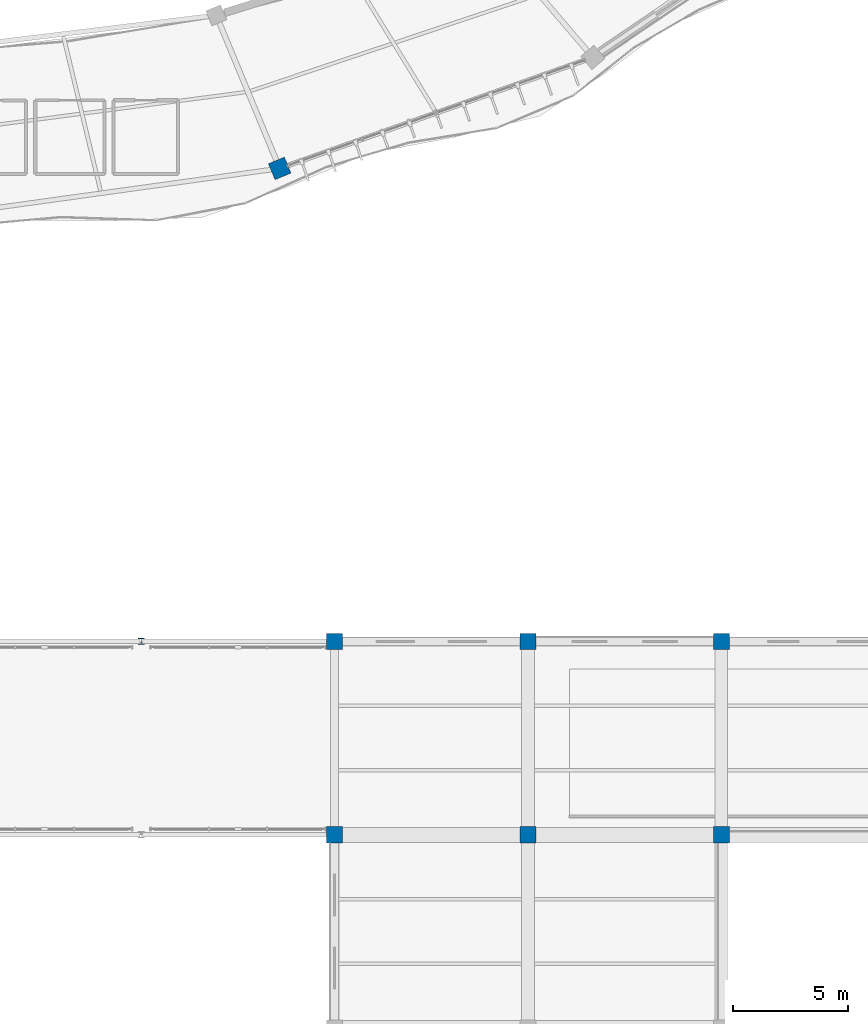
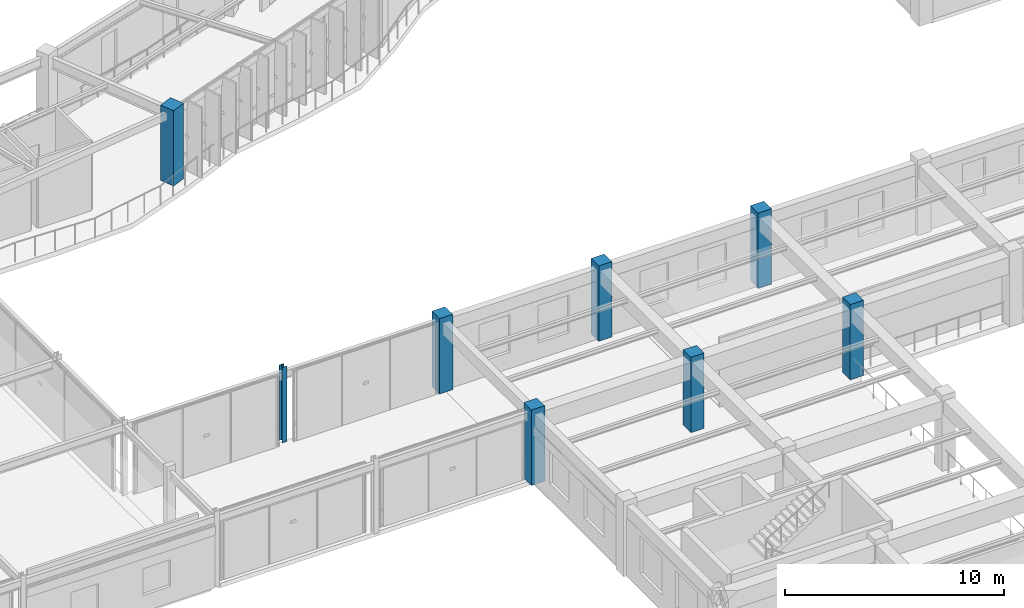
# One storey, part 5 of 152: 8 columns.
"""IFC4 building model written with IfcOpenShell, lengths in metres."""

from ifc_helpers import new_model, si_unit, direction, frame, origin, origin_2d, place, context, subcontext, project, spatial, rectangle, i_section, extrude, material, material_profile, profile_set, type_object, element, save


model = new_model("IFC4")

# Units and contexts
model_context = context("Model", 3, precision=1e-05, world=origin(), true_north=direction((0.0, 1.0)))
body_context = subcontext(model_context, "Body", "Model", "MODEL_VIEW")
ifc_project = project(units=[si_unit("LENGTHUNIT", "METRE"), si_unit("AREAUNIT", "SQUARE_METRE"), si_unit("VOLUMEUNIT", "CUBIC_METRE"), si_unit("PLANEANGLEUNIT", "RADIAN"), si_unit("MASSUNIT", "GRAM", prefix="KILO"), si_unit("THERMODYNAMICTEMPERATUREUNIT", "KELVIN"), si_unit("POWERUNIT", "WATT")], contexts=[model_context])

# Site, building, storey
site_placement = place(None, origin())
site = spatial("IfcSite", under=ifc_project, at=site_placement, CompositionType="ELEMENT")
building_placement = place(site_placement, origin())
building = spatial("IfcBuilding", under=site, at=building_placement, Name="Darbajah Civic Hall", CompositionType="ELEMENT")
storey_placement = place(building_placement, frame((0.0, 0.0, 5.39990234375)))
storey = spatial("IfcBuildingStorey", under=building, at=storey_placement, Name="L01", CompositionType="ELEMENT", Elevation=5.39990234375)

# Columns
ifc_material_1 = material(Name="Concrete C45/55", Category="concrete")
ifc_material_profile_1 = material_profile(ifc_material_1, rectangle(XDim=0.699951171875, YDim=0.699951171875, at=origin_2d()), Name="RC COL 700x700")
ifc_profile_set_1 = profile_set([ifc_material_profile_1], Name="Concrete C45/55")
column_type_1 = type_object("IfcColumnType", Name="RC COL 700x700", PredefinedType="COLUMN", material=ifc_profile_set_1)
for number, where, z_axis, x_axis, name in (
    (1, (111.0, 33.60009765625, 0.0), (0.0, 0.0, 1.0), (1.0, 0.0, 0.0), "L01 column C-RC700"),
    (2, (111.0, 42.0, 0.0), (0.0, 0.0, 1.0), (1.0, 0.0, 0.0), "L01 column C-RC700"),
    (3, (119.39990234375, 33.60009765625, 0.0), (0.0, 0.0, 1.0), (1.0, 0.0, 0.0), "L01 column C-RC700"),
    (4, (119.39990234375, 42.0, 0.0), (0.0, 0.0, 1.0), (1.0, 0.0, 0.0), "L01 column C-RC700"),
    (5, (127.800048828125, 33.60009765625, 0.0), (0.0, 0.0, 1.0), (1.0, 0.0, 0.0), "L01 column C-RC700"),
    (6, (127.800048828125, 42.0, 0.0), (0.0, 0.0, 1.0), (1.0, 0.0, 0.0), "L01 column C-RC700"),
):
    element("IfcColumn", number, at=place(storey_placement, frame(where, z_axis=z_axis, x_axis=x_axis)), inside=storey, type_object=column_type_1, Name=name, PredefinedType="COLUMN", context=body_context, shape_type="SweptSolid", body=[
        extrude(rectangle(XDim=0.699951171875, YDim=0.699951171875, at=origin_2d()), origin(), (0.0, 0.0, 1.0), 4.2001953125),
    ])
ifc_material_2 = material(Name="Concrete C50/60", Category="concrete")
ifc_material_profile_2 = material_profile(ifc_material_2, rectangle(XDim=0.75, YDim=0.75, at=origin_2d()), Name="RC COL 750x750")
ifc_profile_set_2 = profile_set([ifc_material_profile_2], Name="Concrete C50/60")
column_type_2 = type_object("IfcColumnType", Name="RC COL 750x750", PredefinedType="COLUMN", material=ifc_profile_set_2)
column_1_placement = place(storey_placement, frame((108.616943359375, 62.545654296875, 0.0), z_axis=(0.0, 0.0, 1.0), x_axis=(0.382683432365, -0.923879532511, 0.0)))
element("IfcColumn", 7, at=column_1_placement, inside=storey, type_object=column_type_2, Name="L01 column C-RC750", PredefinedType="COLUMN", context=body_context, shape_type="SweptSolid", body=[
    extrude(rectangle(XDim=0.75, YDim=0.75, at=origin_2d()), origin(), (0.0, 0.0, 1.0), 4.2001953125),
])
ifc_material_3 = material(Name="Steel S355JR", Category="steel")
ifc_material_profile_3 = material_profile(ifc_material_3, i_section(OverallWidth=0.25634765625, OverallDepth=0.26025390625, WebThickness=0.01025390625, FlangeThickness=0.017333984375, FilletRadius=0.0126953125, at=origin_2d()), Name="UC 254x254x89")
ifc_profile_set_3 = profile_set([ifc_material_profile_3], Name="Steel S355JR")
column_type_3 = type_object("IfcColumnType", Name="UC 254x254x89", PredefinedType="COLUMN", material=ifc_profile_set_3)
column_2_placement = place(storey_placement, frame((102.60009765625, 42.0, 0.0), z_axis=(0.0, 0.0, 1.0), x_axis=(1.0, 0.0, 0.0)))
element("IfcColumn", 8, at=column_2_placement, inside=storey, type_object=column_type_3, Name="L01 column C-UC254", PredefinedType="COLUMN", context=body_context, shape_type="SweptSolid", body=[
    extrude(i_section(OverallWidth=0.25634765625, OverallDepth=0.26025390625, WebThickness=0.01025390625, FlangeThickness=0.017333984375, FilletRadius=0.0126953125, at=origin_2d()), origin(), (0.0, 0.0, 1.0), 4.2001953125),
])

save(model, "model.ifc")
